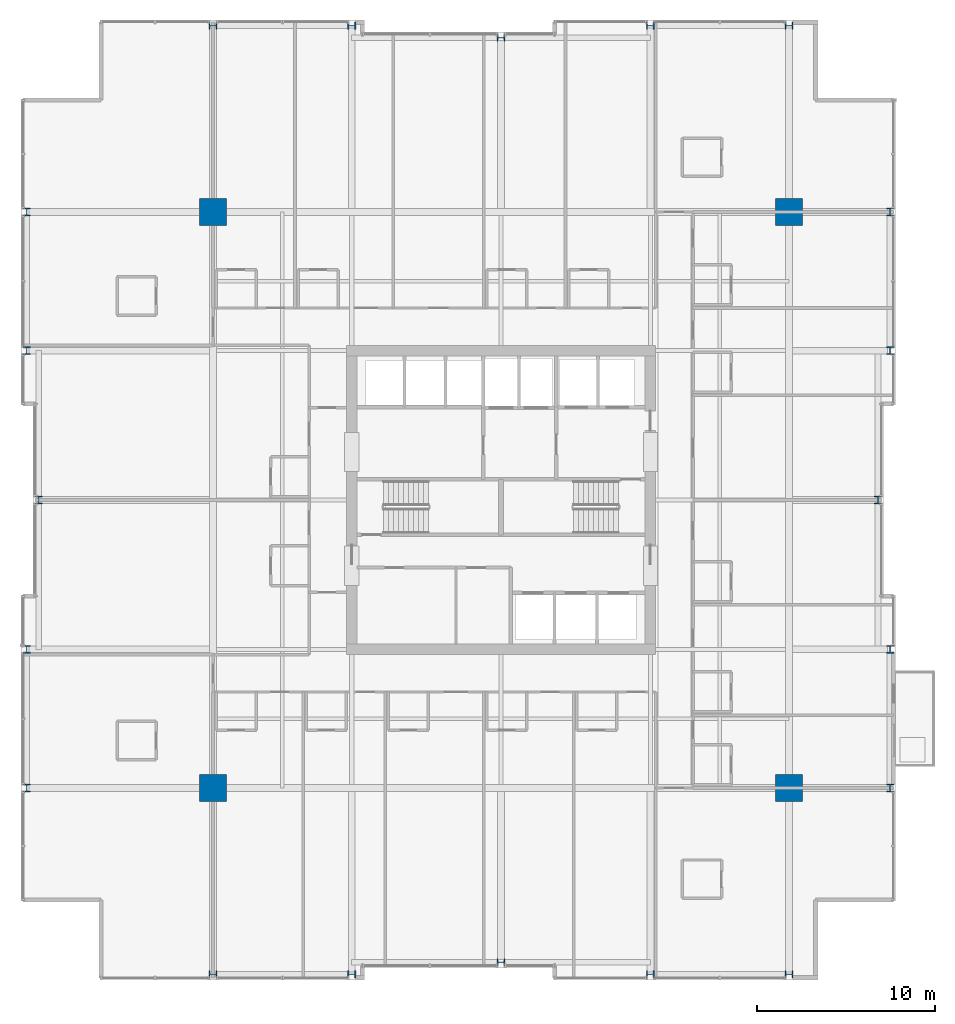
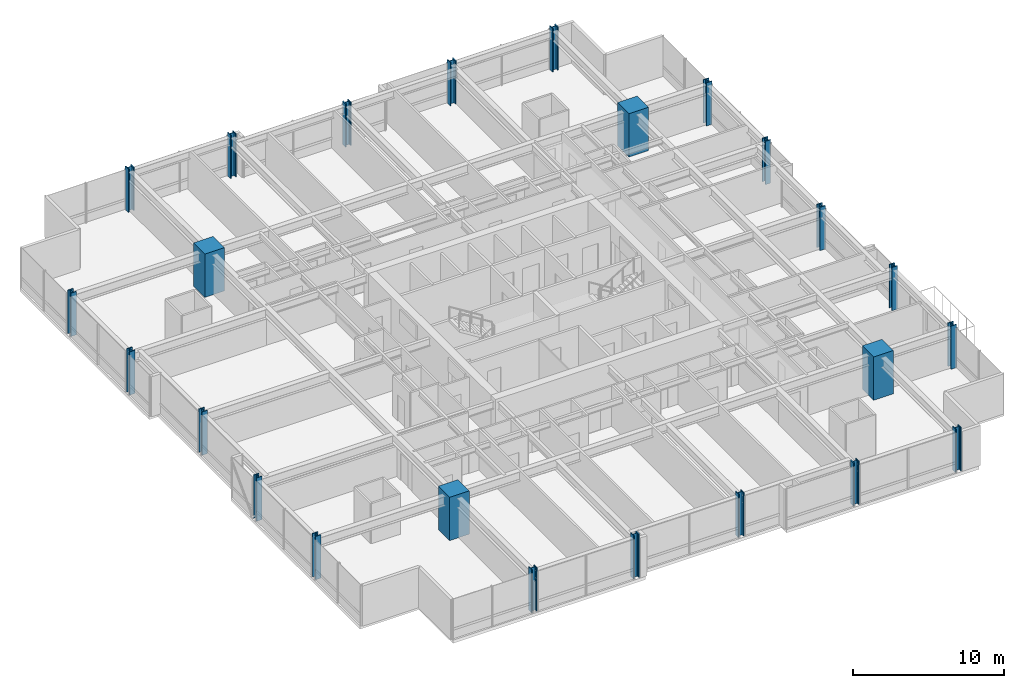
# One storey, part 1 of 35: 24 columns.
"""IFC4 building model written with IfcOpenShell, lengths in metres."""

from ifc_helpers import new_model, si_unit, direction, frame, origin, origin_2d, place, context, subcontext, project, spatial, rectangle, i_section, extrude, material, material_profile, profile_set, type_object, element, save


model = new_model("IFC4")

# Units and contexts
model_context = context("Model", 3, precision=1e-05, world=origin(), true_north=direction((0.0, 1.0)))
body_context = subcontext(model_context, "Body", "Model", "MODEL_VIEW")
ifc_project = project(units=[si_unit("LENGTHUNIT", "METRE"), si_unit("AREAUNIT", "SQUARE_METRE"), si_unit("VOLUMEUNIT", "CUBIC_METRE"), si_unit("PLANEANGLEUNIT", "RADIAN"), si_unit("MASSUNIT", "GRAM", prefix="KILO")], contexts=[model_context])

# Site, building, storey
site_placement = place(None, origin())
site = spatial("IfcSite", under=ifc_project, at=site_placement, CompositionType="ELEMENT")
building_placement = place(site_placement, origin())
building = spatial("IfcBuilding", under=site, at=building_placement, Name="Drelvath Grand Hotel", CompositionType="ELEMENT")
storey_placement = place(building_placement, frame((0.0, 0.0, 98.800048828125)))
storey = spatial("IfcBuildingStorey", under=building, at=storey_placement, Name="L24", CompositionType="ELEMENT", Elevation=98.800048828125)

# Columns
ifc_material_1 = material(Name="Concrete f'c 70 MPa", Category="concrete")
ifc_material_profile_1 = material_profile(ifc_material_1, rectangle(XDim=1.5, YDim=1.5, at=origin_2d()), Name="MC1500X1500")
ifc_profile_set_1 = profile_set([ifc_material_profile_1], Name="Concrete f'c 70 MPa")
column_type_1 = type_object("IfcColumnType", Name="Composite Mega Column MC1500X1500", PredefinedType="COLUMN", material=ifc_profile_set_1)
for number, where, z_axis, x_axis, name in (
    (1, (-16.199951171875, 10.800048828125, 0.0), (0.0, 0.0, 1.0), (1.0, 0.0, 0.0), "L24 Composite Mega Column MC-SW"),
    (2, (16.199951171875, 10.800048828125, 0.0), (0.0, 0.0, 1.0), (1.0, 0.0, 0.0), "L24 Composite Mega Column MC-SE"),
    (3, (-16.199951171875, 43.199951171875, 0.0), (0.0, 0.0, 1.0), (1.0, 0.0, 0.0), "L24 Composite Mega Column MC-NW"),
    (4, (16.199951171875, 43.199951171875, 0.0), (0.0, 0.0, 1.0), (1.0, 0.0, 0.0), "L24 Composite Mega Column MC-NE"),
):
    element("IfcColumn", number, at=place(storey_placement, frame(where, z_axis=z_axis, x_axis=x_axis)), inside=storey, type_object=column_type_1, Name=name, PredefinedType="COLUMN", context=body_context, shape_type="SweptSolid", body=[
        extrude(rectangle(XDim=1.5, YDim=1.5, at=origin_2d()), origin(), (0.0, 0.0, 1.0), 3.5),
    ])
ifc_material_2 = material(Name="Steel ASTM A913 Gr 65", Category="steel")
ifc_material_profile_2 = material_profile(ifc_material_2, i_section(OverallWidth=0.41845703125, OverallDepth=0.455078125, WebThickness=0.0419921875, FlangeThickness=0.067626953125, FilletRadius=0.030029296875, at=origin_2d()), Name="W14X370")
ifc_profile_set_2 = profile_set([ifc_material_profile_2], Name="Steel ASTM A913 Gr 65")
column_type_2 = type_object("IfcColumnType", Name="Perimeter Steel Column W14X370", PredefinedType="COLUMN", material=ifc_profile_set_2)
for number, where, z_axis, x_axis, name in (
    (5, (-26.679931640625, 10.800048828125, 0.0), (0.0, 0.0, 1.0), (1.0, 0.0, 0.0), "L24 Structural Column TCW-C"),
    (6, (21.8798828125, 10.800048828125, 0.0), (0.0, 0.0, 1.0), (1.0, 0.0, 0.0), "L24 Structural Column TCE-C"),
    (7, (-26.679931640625, 18.60009765625, 0.0), (0.0, 0.0, 1.0), (1.0, 0.0, 0.0), "L24 Structural Column TCW-D"),
    (8, (21.8798828125, 18.60009765625, 0.0), (0.0, 0.0, 1.0), (1.0, 0.0, 0.0), "L24 Structural Column TCE-D"),
    (9, (-26.0, 27.0, 0.0), (0.0, 0.0, 1.0), (1.0, 0.0, 0.0), "L24 Structural Column TCW-E"),
    (10, (21.199951171875, 27.0, 0.0), (0.0, 0.0, 1.0), (1.0, 0.0, 0.0), "L24 Structural Column TCE-E"),
    (11, (-26.679931640625, 35.39990234375, 0.0), (0.0, 0.0, 1.0), (1.0, 0.0, 0.0), "L24 Structural Column TCW-F"),
    (12, (21.8798828125, 35.39990234375, 0.0), (0.0, 0.0, 1.0), (1.0, 0.0, 0.0), "L24 Structural Column TCE-F"),
    (13, (-26.679931640625, 43.199951171875, 0.0), (0.0, 0.0, 1.0), (1.0, 0.0, 0.0), "L24 Structural Column TCW-G"),
    (14, (21.8798828125, 43.199951171875, 0.0), (0.0, 0.0, 1.0), (1.0, 0.0, 0.0), "L24 Structural Column TCE-G"),
    (15, (-16.199951171875, 0.320068359375, 0.0), (0.0, 0.0, 1.0), (0.0, 1.0, 0.0), "L24 Structural Column TCS-3"),
    (16, (-16.199951171875, 53.679931640625, 0.0), (0.0, 0.0, 1.0), (0.0, 1.0, 0.0), "L24 Structural Column TCN-3"),
    (17, (-8.39990234375, 0.320068359375, 0.0), (0.0, 0.0, 1.0), (0.0, 1.0, 0.0), "L24 Structural Column TCS-4"),
    (18, (-8.39990234375, 53.679931640625, 0.0), (0.0, 0.0, 1.0), (0.0, 1.0, 0.0), "L24 Structural Column TCN-4"),
    (19, (0.0, 1.0, 0.0), (0.0, 0.0, 1.0), (0.0, 1.0, 0.0), "L24 Structural Column TCS-5"),
    (20, (0.0, 53.0, 0.0), (0.0, 0.0, 1.0), (0.0, 1.0, 0.0), "L24 Structural Column TCN-5"),
    (21, (8.39990234375, 0.320068359375, 0.0), (0.0, 0.0, 1.0), (0.0, 1.0, 0.0), "L24 Structural Column TCS-6"),
    (22, (8.39990234375, 53.679931640625, 0.0), (0.0, 0.0, 1.0), (0.0, 1.0, 0.0), "L24 Structural Column TCN-6"),
    (23, (16.199951171875, 0.320068359375, 0.0), (0.0, 0.0, 1.0), (0.0, 1.0, 0.0), "L24 Structural Column TCS-7"),
    (24, (16.199951171875, 53.679931640625, 0.0), (0.0, 0.0, 1.0), (0.0, 1.0, 0.0), "L24 Structural Column TCN-7"),
):
    element("IfcColumn", number, at=place(storey_placement, frame(where, z_axis=z_axis, x_axis=x_axis)), inside=storey, type_object=column_type_2, Name=name, PredefinedType="COLUMN", context=body_context, shape_type="SweptSolid", body=[
        extrude(i_section(OverallWidth=0.41845703125, OverallDepth=0.455078125, WebThickness=0.0419921875, FlangeThickness=0.067626953125, FilletRadius=0.030029296875, at=origin_2d()), origin(), (0.0, 0.0, 1.0), 3.4970703125),
    ])

save(model, "model.ifc")
